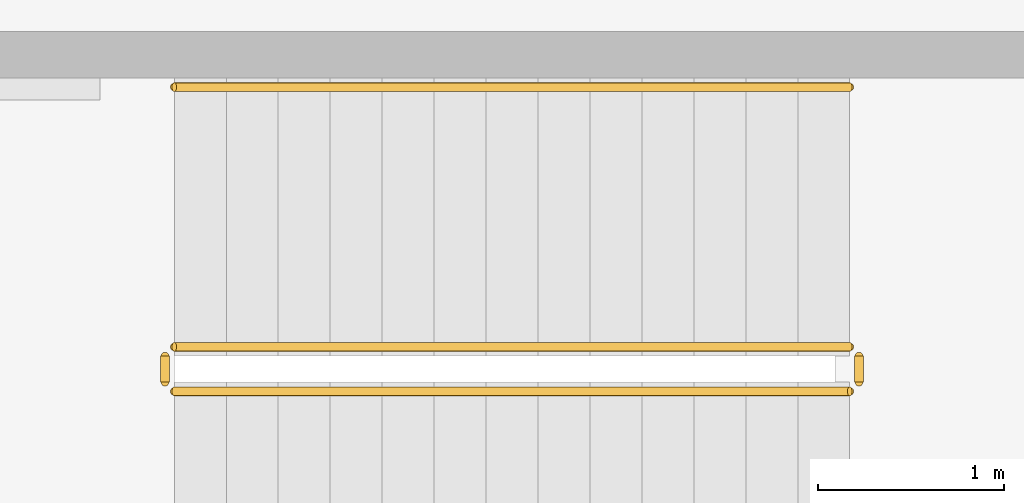
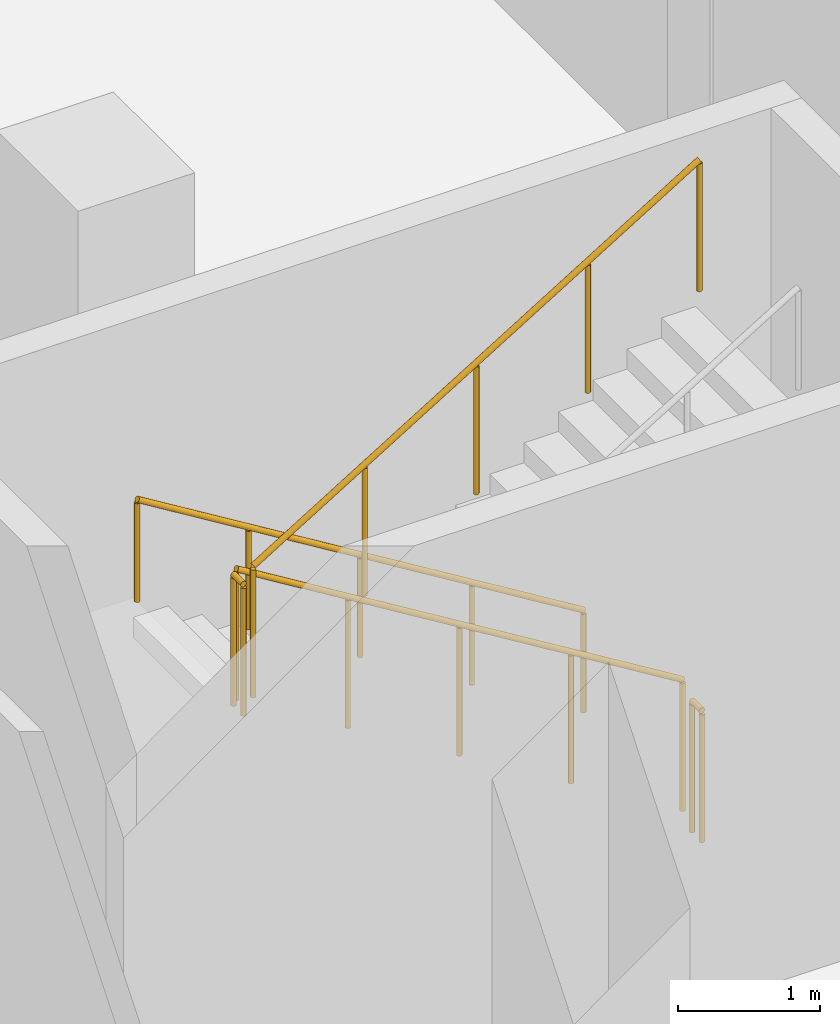
# One storey, part 24 of 30: 5 railings.
"""IFC4 building model written with IfcOpenShell, lengths in metres."""

from ifc_helpers import new_model, si_unit, derived_unit, direction, frame, origin, origin_2d, place, context, subcontext, project, spatial, circle, extrude, material, type_object, element, save


model = new_model("IFC4")

# Units and contexts
model_context = context("Model", 3, precision=1e-05, world=origin(), true_north=direction((0.0, 1.0)))
body_context = subcontext(model_context, "Body", "Model", "MODEL_VIEW")
ifc_project = project(units=[si_unit("LENGTHUNIT", "METRE"), si_unit("AREAUNIT", "SQUARE_METRE"), si_unit("VOLUMEUNIT", "CUBIC_METRE"), si_unit("PLANEANGLEUNIT", "RADIAN"), si_unit("MASSUNIT", "GRAM", prefix="KILO"), derived_unit("THERMALTRANSMITTANCEUNIT", [(si_unit("POWERUNIT", "WATT"), 1), (si_unit("LENGTHUNIT", "METRE"), -2), (si_unit("THERMODYNAMICTEMPERATUREUNIT", "KELVIN"), -1)])], contexts=[model_context])

# Site, building, storey
site_placement = place(None, origin())
site = spatial("IfcSite", under=ifc_project, at=site_placement, CompositionType="ELEMENT")
building_placement = place(site_placement, origin())
building = spatial("IfcBuilding", under=site, at=building_placement, Name="Kivonza Crest Hotel", CompositionType="ELEMENT")
storey_placement = place(building_placement, frame((0.0, 0.0, 10.199951171875)))
storey = spatial("IfcBuildingStorey", under=building, at=storey_placement, Name="L02", CompositionType="ELEMENT", Elevation=10.199951171875)

# Railings
ifc_material_1 = material(Name="Brushed stainless steel handrail", Category="steel")
railing_type_1 = type_object("IfcRailingType", Name="RL-HAND-900", PredefinedType="HANDRAIL", material=ifc_material_1)
railing_1_placement = place(storey_placement, frame((63.840087890625, 26.530029296875, 0.17138671875)))
element("IfcRailing", 1, at=railing_1_placement, inside=storey, type_object=railing_type_1, Name="L02 ST-POD-E stair handrail 1", PredefinedType="HANDRAIL", context=body_context, shape_type="SweptSolid", body=[
    extrude(circle(Radius=0.02392578125, at=origin_2d()), frame((0.0, 0.0, 0.8759765625), z_axis=(-0.852840387347, 0.0, 0.522171689878), x_axis=(0.0, -1.0, 0.0)), (0.0, 0.0, 1.0), 4.268310546875),
    extrude(circle(Radius=0.02099609375, at=origin_2d()), origin(), (0.0, 0.0, 1.0), 0.851806640625),
    extrude(circle(Radius=0.02099609375, at=origin_2d()), frame((-0.91015625, 0.0, 0.55712890625)), (0.0, 0.0, 1.0), 0.851806640625),
    extrude(circle(Radius=0.02099609375, at=origin_2d()), frame((-1.820068359375, 0.0, 1.1142578125)), (0.0, 0.0, 1.0), 0.851806640625),
    extrude(circle(Radius=0.02099609375, at=origin_2d()), frame((-2.72998046875, 0.0, 1.671630859375)), (0.0, 0.0, 1.0), 0.851806640625),
    extrude(circle(Radius=0.02099609375, at=origin_2d()), frame((-3.64013671875, 0.0, 2.228759765625)), (0.0, 0.0, 1.0), 0.851806640625),
])
ifc_material_2 = material(Name="Painted steel balustrade", Category="steel")
railing_type_2 = type_object("IfcRailingType", Name="RL-STAIR-1150", PredefinedType="BALUSTRADE", material=ifc_material_2)
railing_2_placement = place(storey_placement, frame((63.840087890625, 25.1298828125, 0.17138671875)))
element("IfcRailing", 2, at=railing_2_placement, inside=storey, type_object=railing_type_2, Name="L02 ST-POD-E stair guard 1", PredefinedType="BALUSTRADE", context=body_context, shape_type="SweptSolid", body=[
    extrude(circle(Radius=0.02392578125, at=origin_2d()), frame((0.0, 0.0, 1.1259765625), z_axis=(-0.852840387347, 0.0, 0.522171689878), x_axis=(0.0, -1.0, 0.0)), (0.0, 0.0, 1.0), 4.268310546875),
    extrude(circle(Radius=0.02099609375, at=origin_2d()), origin(), (0.0, 0.0, 1.0), 1.101806640625),
    extrude(circle(Radius=0.02099609375, at=origin_2d()), frame((-0.91015625, 0.0, 0.55712890625)), (0.0, 0.0, 1.0), 1.101806640625),
    extrude(circle(Radius=0.02099609375, at=origin_2d()), frame((-1.820068359375, 0.0, 1.1142578125)), (0.0, 0.0, 1.0), 1.101806640625),
    extrude(circle(Radius=0.02099609375, at=origin_2d()), frame((-2.72998046875, 0.0, 1.671630859375)), (0.0, 0.0, 1.0), 1.101806640625),
    extrude(circle(Radius=0.02099609375, at=origin_2d()), frame((-3.64013671875, 0.0, 2.228759765625)), (0.0, 0.0, 1.0), 1.101806640625),
])
railing_3_placement = place(storey_placement, frame((60.14990234375, 25.080078125, 2.400146484375)))
element("IfcRailing", 3, at=railing_3_placement, inside=storey, type_object=railing_type_2, Name="L02 ST-POD-E stair guard 2", PredefinedType="BALUSTRADE", context=body_context, shape_type="SweptSolid", body=[
    extrude(circle(Radius=0.02392578125, at=origin_2d()), frame((0.0, 0.0, 1.1259765625), z_axis=(0.0, -1.0, 0.0), x_axis=(1.0, 0.0, 0.0)), (0.0, 0.0, 1.0), 0.14013671875),
    extrude(circle(Radius=0.02099609375, at=origin_2d()), origin(), (0.0, 0.0, 1.0), 1.101806640625),
    extrude(circle(Radius=0.02099609375, at=origin_2d()), frame((0.0, -0.14013671875, 0.0)), (0.0, 0.0, 1.0), 1.101806640625),
])
railing_4_placement = place(storey_placement, frame((60.199951171875, 24.889892578125, 2.571533203125)))
element("IfcRailing", 4, at=railing_4_placement, inside=storey, type_object=railing_type_2, Name="L02 ST-POD-E stair guard 3", PredefinedType="BALUSTRADE", context=body_context, shape_type="SweptSolid", body=[
    extrude(circle(Radius=0.02392578125, at=origin_2d()), frame((0.0, 0.0, 1.1259765625), z_axis=(0.852865859571, 0.0, 0.52213008492), x_axis=(0.0, 1.0, 0.0)), (0.0, 0.0, 1.0), 4.26806640625),
    extrude(circle(Radius=0.02099609375, at=origin_2d()), origin(), (0.0, 0.0, 1.0), 1.101806640625),
    extrude(circle(Radius=0.02099609375, at=origin_2d()), frame((0.91015625, 0.0, 0.55712890625)), (0.0, 0.0, 1.0), 1.101806640625),
    extrude(circle(Radius=0.02099609375, at=origin_2d()), frame((1.820068359375, 0.0, 1.1142578125)), (0.0, 0.0, 1.0), 1.101806640625),
    extrude(circle(Radius=0.02099609375, at=origin_2d()), frame((2.72998046875, 0.0, 1.67138671875)), (0.0, 0.0, 1.0), 1.101806640625),
    extrude(circle(Radius=0.02099609375, at=origin_2d()), frame((3.64013671875, 0.0, 2.228515625)), (0.0, 0.0, 1.0), 1.101806640625),
])
railing_5_placement = place(storey_placement, frame((63.889892578125, 25.080078125, 0.0)))
element("IfcRailing", 5, at=railing_5_placement, inside=storey, type_object=railing_type_2, Name="L02 ST-POD-E stair guard 4", PredefinedType="BALUSTRADE", context=body_context, shape_type="SweptSolid", body=[
    extrude(circle(Radius=0.02392578125, at=origin_2d()), frame((0.0, 0.0, 1.1259765625), z_axis=(0.0, -1.0, 0.0), x_axis=(1.0, 0.0, 0.0)), (0.0, 0.0, 1.0), 0.14013671875),
    extrude(circle(Radius=0.02099609375, at=origin_2d()), origin(), (0.0, 0.0, 1.0), 1.101806640625),
    extrude(circle(Radius=0.02099609375, at=origin_2d()), frame((0.0, -0.14013671875, 0.0)), (0.0, 0.0, 1.0), 1.101806640625),
])

save(model, "model.ifc")
